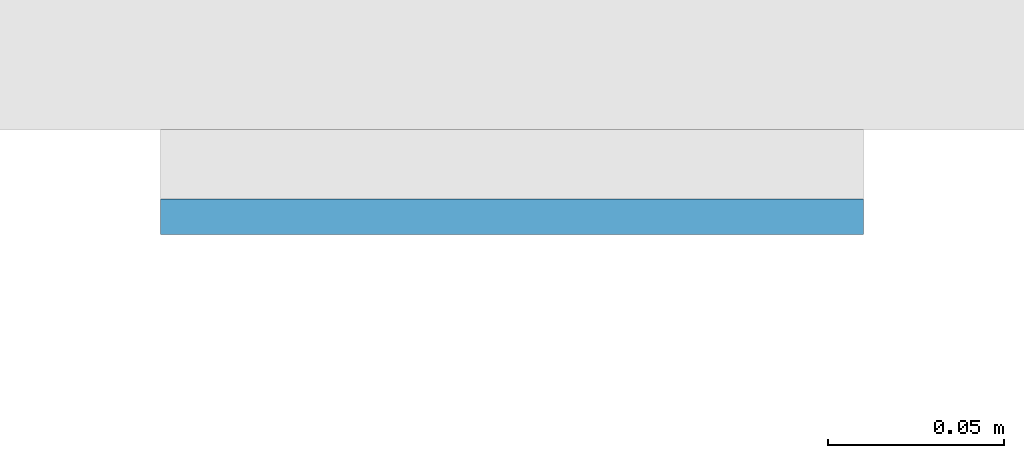
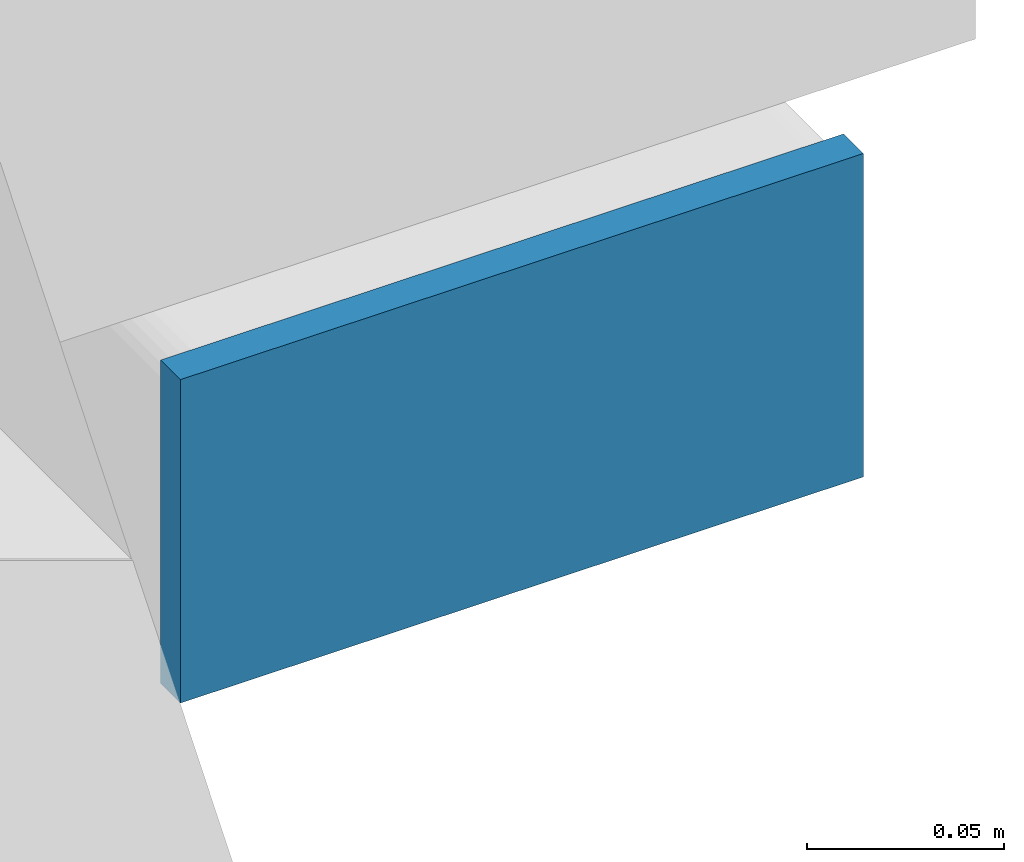
# One storey, part 7 of 14: 1 plate.
"""IFC4 building model written with IfcOpenShell, lengths in metres."""

import ifcopenshell
import ifcopenshell.guid

model = None  # the IFC model being written
_history = None  # IfcOwnerHistory: only IFC2X3 demands one
_inside = {}  # id of a spatial element -> (the spatial element, [elements in it])
_under = {}  # id of a project, library or spatial element -> (it, [spatial elements below it])
_declared = {}  # id of a project -> (the project, [libraries it declares])
_typed = {}  # id of a type object -> (the type object, [elements of that type])
_made_of = {}  # id of a material, layer set ... -> (it, [elements and type objects made of it])


def new_model(schema):
    """Start an empty IFC model of exactly this schema.

    Asked for "IFC4X3", IfcOpenShell would pick the latest addendum, in which some entities
    have other attributes; the version numbers below select the first issue.
    IFC2X3 requires an IfcOwnerHistory on every rooted entity: one is made here for all.
    """
    global model, _history
    if schema == "IFC4X3":
        model = ifcopenshell.file(schema_version=(4, 3, 0, 0))
    else:
        model = ifcopenshell.file(schema=schema)
    _inside.clear()
    _under.clear()
    _declared.clear()
    _typed.clear()
    _made_of.clear()
    _history = None
    if model.schema == "IFC2X3":
        org = make("IfcOrganization", Name="unknown")
        user = make(
            "IfcPersonAndOrganization",
            ThePerson=make("IfcPerson", FamilyName="unknown"),
            TheOrganization=org,
        )
        app = make(
            "IfcApplication",
            ApplicationDeveloper=org,
            Version="unknown",
            ApplicationFullName="unknown",
            ApplicationIdentifier="unknown",
        )
        _history = make(
            "IfcOwnerHistory",
            OwningUser=user,
            OwningApplication=app,
            ChangeAction="ADDED",
            CreationDate=0,
        )
    return model


def make(cls, **values):
    """One entity of the class cls with the attributes given. An attribute that is None is left unset."""
    return model.create_entity(
        cls, **{name: value for name, value in values.items() if value is not None}
    )


def rooted(cls, **values):
    """An entity with a GlobalId (a new one), such as an element, a storey or a relation."""
    return make(cls, GlobalId=ifcopenshell.guid.new(), OwnerHistory=_history, **values)


def si_unit(unit_type, name, prefix=None):
    """IfcSIUnit, for example si_unit("LENGTHUNIT", "METRE", prefix="MILLI")."""
    return make("IfcSIUnit", UnitType=unit_type, Prefix=prefix, Name=name)


def assignment(units):
    """IfcUnitAssignment: the units of a project."""
    return None if units is None else make("IfcUnitAssignment", Units=units)


def point(xyz):
    """IfcCartesianPoint."""
    return None if xyz is None else make("IfcCartesianPoint", Coordinates=xyz)


def direction(xyz):
    """IfcDirection."""
    return None if xyz is None else make("IfcDirection", DirectionRatios=xyz)


def frame(location, z_axis=None, x_axis=None):
    """IfcAxis2Placement3D, a coordinate frame: its origin and axes. An axis left out is left unset."""
    return make(
        "IfcAxis2Placement3D",
        Location=point(location),
        Axis=direction(z_axis),
        RefDirection=direction(x_axis),
    )


def frame_2d(location, x_axis=None):
    """IfcAxis2Placement2D, a coordinate frame in the plane: its origin and x axis."""
    return make(
        "IfcAxis2Placement2D", Location=point(location), RefDirection=direction(x_axis)
    )


def origin():
    """The frame at (0, 0, 0) with its axes left unset."""
    return frame((0.0, 0.0, 0.0))


def origin_2d():
    """The frame at (0, 0) in the plane with its x axis left unset."""
    return frame_2d((0.0, 0.0))


def place(relative_to, where):
    """IfcLocalPlacement: puts the frame where relative to a parent placement (None: the world)."""
    return make(
        "IfcLocalPlacement", PlacementRelTo=relative_to, RelativePlacement=where
    )


def context(
    kind, dimensions, precision=None, world=None, true_north=None, identifier=None
):
    """IfcGeometricRepresentationContext, for example the 3D "Model" context."""
    return make(
        "IfcGeometricRepresentationContext",
        ContextIdentifier=identifier,
        ContextType=kind,
        CoordinateSpaceDimension=dimensions,
        Precision=precision,
        WorldCoordinateSystem=world,
        TrueNorth=true_north,
    )


def subcontext(parent, identifier, kind, view, scale=None):
    """IfcGeometricRepresentationSubContext, for example "Body" below "Model"."""
    return make(
        "IfcGeometricRepresentationSubContext",
        ContextIdentifier=identifier,
        ContextType=kind,
        ParentContext=parent,
        TargetScale=scale,
        TargetView=view,
    )


def project(units=None, contexts=None):
    """IfcProject with its units and contexts."""
    return rooted(
        "IfcProject",
        Name="project",
        RepresentationContexts=contexts,
        UnitsInContext=assignment(units),
    )


def spatial(cls, under=None, at=None, **own):
    """A site, building, storey or space (cls), placed at a placement, below another one or the project."""
    s = rooted(cls, ObjectPlacement=at, **own)
    if under is not None:
        _under.setdefault(under.id(), (under, []))[1].append(s)
    return s


def profile(cls, at=None, kind="AREA", **sizes):
    """A parametric profile (cls). Its sizes go by their IFC names, for example OverallWidth=200.0."""
    return make(cls, ProfileType=kind, Position=at, **sizes)


def rectangle(**sizes):
    """IfcRectangleProfileDef."""
    return profile("IfcRectangleProfileDef", **sizes)


def extrude(swept, where, along, depth):
    """IfcExtrudedAreaSolid: the profile swept, set in the frame where, extruded along a direction by depth."""
    return make(
        "IfcExtrudedAreaSolid",
        SweptArea=swept,
        Position=where,
        ExtrudedDirection=direction(along),
        Depth=depth,
    )


def shape(context_of_items, identifier, shape_type, items):
    """IfcShapeRepresentation: the items that make up one representation, for example the "Body"."""
    return make(
        "IfcShapeRepresentation",
        ContextOfItems=context_of_items,
        RepresentationIdentifier=identifier,
        RepresentationType=shape_type,
        Items=items,
    )


def material(Name=None, Category=None):
    """IfcMaterial."""
    return make("IfcMaterial", Name=Name, Category=Category)


def layer(
    of_material, thickness, ventilated=None, Name=None, Category=None, Priority=None
):
    """IfcMaterialLayer: one layer of a wall or slab, of a material (None: an air gap)."""
    return make(
        "IfcMaterialLayer",
        Material=of_material,
        LayerThickness=thickness,
        IsVentilated=ventilated,
        Name=Name,
        Category=Category,
        Priority=Priority,
    )


def layer_set(layers, Name=None):
    """IfcMaterialLayerSet."""
    return make("IfcMaterialLayerSet", MaterialLayers=layers, LayerSetName=Name)


def made_of(thing, what):
    """Note that an element or type object is made of a material, layer set ...; save() writes the relation."""
    if what is not None:
        _made_of.setdefault(what.id(), (what, []))[1].append(thing)
    return thing


def type_object(cls, material=None, **own):
    """A type object (cls), such as IfcWallType, which elements share."""
    return made_of(rooted(cls, **own), material)


def element(
    cls,
    number,
    at=None,
    inside=None,
    cuts=None,
    type_object=None,
    material=None,
    context=None,
    identifier="Body",
    shape_type=None,
    held_by="IfcProductDefinitionShape",
    body=None,
    shapes=None,
    **own,
):
    """One element of the class cls, such as IfcWall. Its Tag is "e" and its number.

    at: its placement. inside: the storey or other place that contains it. cuts: it is an
    opening in that element (IfcRelVoidsElement). A single representation is given by context,
    identifier, shape_type and body (its items); several are given by shapes. held_by: the class
    of the entity that holds the representations. save() writes the other relations.
    """
    e = rooted(cls, Tag="e%d" % number, ObjectPlacement=at, **own)
    if body is not None:
        shapes = [shape(context, identifier, shape_type, body)]
    if shapes is not None:
        e.Representation = make(held_by, Representations=shapes)
    if inside is not None:
        _inside.setdefault(inside.id(), (inside, []))[1].append(e)
    if cuts is not None:
        rooted(
            "IfcRelVoidsElement", RelatingBuildingElement=cuts, RelatedOpeningElement=e
        )
    if type_object is not None:
        _typed.setdefault(type_object.id(), (type_object, []))[1].append(e)
    return made_of(e, material)


def aggregate(whole, parts):
    """IfcRelAggregates: a whole, such as a stair, and the parts it consists of."""
    return rooted("IfcRelAggregates", RelatingObject=whole, RelatedObjects=parts)


def save(model, path):
    """Write the relations noted so far, then the file.

    IfcRelAggregates (storeys below a building ...), IfcRelContainedInSpatialStructure (elements
    in a storey), IfcRelDefinesByType, IfcRelAssociatesMaterial and IfcRelDeclares: one each for
    every whole, place, type object, material and project.
    """
    for whole, parts in _under.values():
        aggregate(whole, parts)
    for where, things in _inside.values():
        rooted(
            "IfcRelContainedInSpatialStructure",
            RelatedElements=things,
            RelatingStructure=where,
        )
    for kind, things in _typed.values():
        rooted("IfcRelDefinesByType", RelatedObjects=things, RelatingType=kind)
    for what, things in _made_of.values():
        rooted("IfcRelAssociatesMaterial", RelatedObjects=things, RelatingMaterial=what)
    for by, libraries in _declared.values():
        rooted("IfcRelDeclares", RelatingContext=by, RelatedDefinitions=libraries)
    model.write(path)


model = new_model("IFC4")

# Units and contexts
model_context = context("Model", 3, precision=1e-05, world=origin(), true_north=direction((0.0, 1.0)))
body_context = subcontext(model_context, "Body", "Model", "MODEL_VIEW")
ifc_project = project(units=[si_unit("LENGTHUNIT", "METRE"), si_unit("AREAUNIT", "SQUARE_METRE"), si_unit("VOLUMEUNIT", "CUBIC_METRE"), si_unit("PLANEANGLEUNIT", "RADIAN"), si_unit("MASSUNIT", "GRAM", prefix="KILO")], contexts=[model_context])

# Site, building, storey
site_placement = place(None, origin())
site = spatial("IfcSite", under=ifc_project, at=site_placement, CompositionType="ELEMENT")
building_placement = place(site_placement, origin())
building = spatial("IfcBuilding", under=site, at=building_placement, Name="Cleftline Residences", CompositionType="ELEMENT")
storey_placement = place(building_placement, frame((0.0, 0.0, 230.39990234375)))
storey = spatial("IfcBuildingStorey", under=building, at=storey_placement, Name="L60", CompositionType="ELEMENT", Elevation=230.39990234375)

# Plate
ifc_material = material(Name="Steel S355, hot-dip galvanised", Category="steel")
ifc_layer = layer(ifc_material, 0.010009765625)
ifc_layer_set = layer_set([ifc_layer], Name="BAGUETTE CARRIER END PLATE 200X100X10")
plate_type = type_object("IfcPlateType", Name="BAGUETTE CARRIER END PLATE 200X100X10", PredefinedType="USERDEFINED", material=ifc_layer_set)
plate_placement = place(storey_placement, frame((66.85009765625, 3.695068359375, -0.099853515625), z_axis=(0.0, 0.0, 1.0), x_axis=(1.0, 0.0, 0.0)))
element("IfcPlate", 1, at=plate_placement, inside=storey, type_object=plate_type, Name="Baguette carrier end plate", ObjectType="BAGUETTE CARRIER END PLATE", PredefinedType="USERDEFINED", context=body_context, shape_type="SweptSolid", body=[
    extrude(rectangle(XDim=0.199951171875, YDim=0.010009765625, at=origin_2d()), origin(), (0.0, 0.0, 1.0), 0.10009765625),
])

save(model, "model.ifc")
